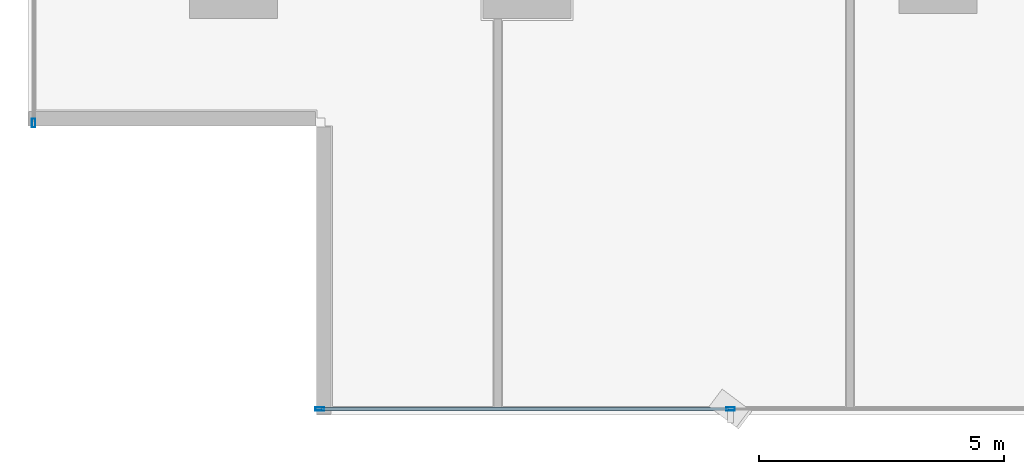
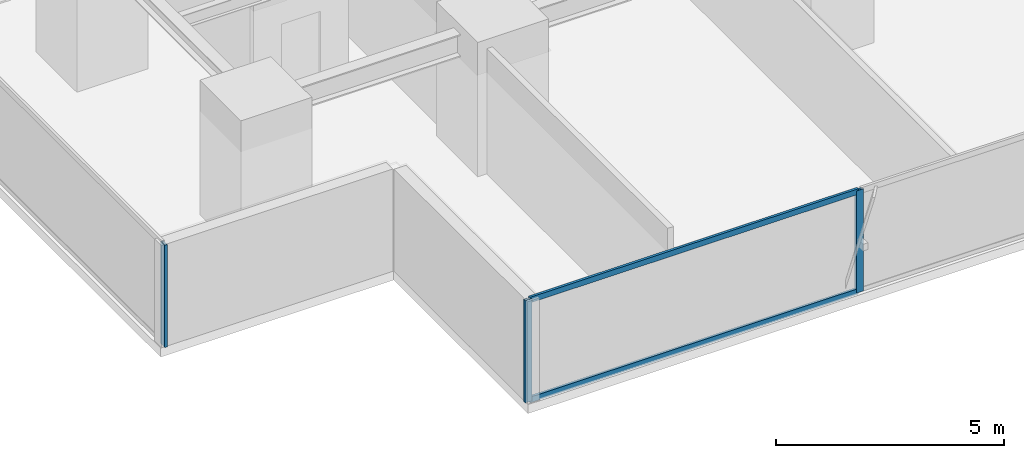
# One storey, part 2 of 32: 5 members, 2 elements without a shape of their own.
"""IFC4 building model written with IfcOpenShell, lengths in metres."""

import ifcopenshell
import ifcopenshell.guid

model = None  # the IFC model being written
_history = None  # IfcOwnerHistory: only IFC2X3 demands one
_inside = {}  # id of a spatial element -> (the spatial element, [elements in it])
_under = {}  # id of a project, library or spatial element -> (it, [spatial elements below it])
_declared = {}  # id of a project -> (the project, [libraries it declares])
_typed = {}  # id of a type object -> (the type object, [elements of that type])
_made_of = {}  # id of a material, layer set ... -> (it, [elements and type objects made of it])


def new_model(schema):
    """Start an empty IFC model of exactly this schema.

    Asked for "IFC4X3", IfcOpenShell would pick the latest addendum, in which some entities
    have other attributes; the version numbers below select the first issue.
    IFC2X3 requires an IfcOwnerHistory on every rooted entity: one is made here for all.
    """
    global model, _history
    if schema == "IFC4X3":
        model = ifcopenshell.file(schema_version=(4, 3, 0, 0))
    else:
        model = ifcopenshell.file(schema=schema)
    _inside.clear()
    _under.clear()
    _declared.clear()
    _typed.clear()
    _made_of.clear()
    _history = None
    if model.schema == "IFC2X3":
        org = make("IfcOrganization", Name="unknown")
        user = make(
            "IfcPersonAndOrganization",
            ThePerson=make("IfcPerson", FamilyName="unknown"),
            TheOrganization=org,
        )
        app = make(
            "IfcApplication",
            ApplicationDeveloper=org,
            Version="unknown",
            ApplicationFullName="unknown",
            ApplicationIdentifier="unknown",
        )
        _history = make(
            "IfcOwnerHistory",
            OwningUser=user,
            OwningApplication=app,
            ChangeAction="ADDED",
            CreationDate=0,
        )
    return model


def make(cls, **values):
    """One entity of the class cls with the attributes given. An attribute that is None is left unset."""
    return model.create_entity(
        cls, **{name: value for name, value in values.items() if value is not None}
    )


def rooted(cls, **values):
    """An entity with a GlobalId (a new one), such as an element, a storey or a relation."""
    return make(cls, GlobalId=ifcopenshell.guid.new(), OwnerHistory=_history, **values)


def si_unit(unit_type, name, prefix=None):
    """IfcSIUnit, for example si_unit("LENGTHUNIT", "METRE", prefix="MILLI")."""
    return make("IfcSIUnit", UnitType=unit_type, Prefix=prefix, Name=name)


def assignment(units):
    """IfcUnitAssignment: the units of a project."""
    return None if units is None else make("IfcUnitAssignment", Units=units)


def point(xyz):
    """IfcCartesianPoint."""
    return None if xyz is None else make("IfcCartesianPoint", Coordinates=xyz)


def direction(xyz):
    """IfcDirection."""
    return None if xyz is None else make("IfcDirection", DirectionRatios=xyz)


def frame(location, z_axis=None, x_axis=None):
    """IfcAxis2Placement3D, a coordinate frame: its origin and axes. An axis left out is left unset."""
    return make(
        "IfcAxis2Placement3D",
        Location=point(location),
        Axis=direction(z_axis),
        RefDirection=direction(x_axis),
    )


def frame_2d(location, x_axis=None):
    """IfcAxis2Placement2D, a coordinate frame in the plane: its origin and x axis."""
    return make(
        "IfcAxis2Placement2D", Location=point(location), RefDirection=direction(x_axis)
    )


def origin():
    """The frame at (0, 0, 0) with its axes left unset."""
    return frame((0.0, 0.0, 0.0))


def origin_2d():
    """The frame at (0, 0) in the plane with its x axis left unset."""
    return frame_2d((0.0, 0.0))


def place(relative_to, where):
    """IfcLocalPlacement: puts the frame where relative to a parent placement (None: the world)."""
    return make(
        "IfcLocalPlacement", PlacementRelTo=relative_to, RelativePlacement=where
    )


def context(
    kind, dimensions, precision=None, world=None, true_north=None, identifier=None
):
    """IfcGeometricRepresentationContext, for example the 3D "Model" context."""
    return make(
        "IfcGeometricRepresentationContext",
        ContextIdentifier=identifier,
        ContextType=kind,
        CoordinateSpaceDimension=dimensions,
        Precision=precision,
        WorldCoordinateSystem=world,
        TrueNorth=true_north,
    )


def subcontext(parent, identifier, kind, view, scale=None):
    """IfcGeometricRepresentationSubContext, for example "Body" below "Model"."""
    return make(
        "IfcGeometricRepresentationSubContext",
        ContextIdentifier=identifier,
        ContextType=kind,
        ParentContext=parent,
        TargetScale=scale,
        TargetView=view,
    )


def project(units=None, contexts=None):
    """IfcProject with its units and contexts."""
    return rooted(
        "IfcProject",
        Name="project",
        RepresentationContexts=contexts,
        UnitsInContext=assignment(units),
    )


def spatial(cls, under=None, at=None, **own):
    """A site, building, storey or space (cls), placed at a placement, below another one or the project."""
    s = rooted(cls, ObjectPlacement=at, **own)
    if under is not None:
        _under.setdefault(under.id(), (under, []))[1].append(s)
    return s


def profile(cls, at=None, kind="AREA", **sizes):
    """A parametric profile (cls). Its sizes go by their IFC names, for example OverallWidth=200.0."""
    return make(cls, ProfileType=kind, Position=at, **sizes)


def hollow_rectangle(**sizes):
    """IfcRectangleHollowProfileDef."""
    return profile("IfcRectangleHollowProfileDef", **sizes)


def extrude(swept, where, along, depth):
    """IfcExtrudedAreaSolid: the profile swept, set in the frame where, extruded along a direction by depth."""
    return make(
        "IfcExtrudedAreaSolid",
        SweptArea=swept,
        Position=where,
        ExtrudedDirection=direction(along),
        Depth=depth,
    )


def shape(context_of_items, identifier, shape_type, items):
    """IfcShapeRepresentation: the items that make up one representation, for example the "Body"."""
    return make(
        "IfcShapeRepresentation",
        ContextOfItems=context_of_items,
        RepresentationIdentifier=identifier,
        RepresentationType=shape_type,
        Items=items,
    )


def source(mapping_origin, context_of_items, identifier, shape_type, items):
    """IfcRepresentationMap: a shape defined once, which mapped items show again and again."""
    return make(
        "IfcRepresentationMap",
        MappingOrigin=mapping_origin,
        MappedRepresentation=shape(context_of_items, identifier, shape_type, items),
    )


def transform(
    local_origin,
    x_axis=None,
    y_axis=None,
    z_axis=None,
    scale=None,
    scale2=None,
    scale3=None,
    uniform=True,
):
    """IfcCartesianTransformationOperator3D, or its non-uniform kind. x_axis, y_axis, z_axis: its Axis1, 2, 3."""
    if uniform:
        return make(
            "IfcCartesianTransformationOperator3D",
            Axis1=direction(x_axis),
            Axis2=direction(y_axis),
            LocalOrigin=point(local_origin),
            Scale=scale,
            Axis3=direction(z_axis),
        )
    return make(
        "IfcCartesianTransformationOperator3DnonUniform",
        Axis1=direction(x_axis),
        Axis2=direction(y_axis),
        LocalOrigin=point(local_origin),
        Scale=scale,
        Axis3=direction(z_axis),
        Scale2=scale2,
        Scale3=scale3,
    )


def mapped(mapping_source, mapping_target):
    """IfcMappedItem: shows the shape of a source again, moved by a transform."""
    return make(
        "IfcMappedItem", MappingSource=mapping_source, MappingTarget=mapping_target
    )


def material(Name=None, Category=None):
    """IfcMaterial."""
    return make("IfcMaterial", Name=Name, Category=Category)


def layer(
    of_material, thickness, ventilated=None, Name=None, Category=None, Priority=None
):
    """IfcMaterialLayer: one layer of a wall or slab, of a material (None: an air gap)."""
    return make(
        "IfcMaterialLayer",
        Material=of_material,
        LayerThickness=thickness,
        IsVentilated=ventilated,
        Name=Name,
        Category=Category,
        Priority=Priority,
    )


def layer_set(layers, Name=None):
    """IfcMaterialLayerSet."""
    return make("IfcMaterialLayerSet", MaterialLayers=layers, LayerSetName=Name)


def material_profile(
    of_material, cross_section, Name=None, Category=None, Priority=None
):
    """IfcMaterialProfile: a cross section and its material."""
    return make(
        "IfcMaterialProfile",
        Name=Name,
        Material=of_material,
        Profile=cross_section,
        Priority=Priority,
        Category=Category,
    )


def profile_set(profiles, Name=None, composite=None):
    """IfcMaterialProfileSet."""
    return make(
        "IfcMaterialProfileSet",
        Name=Name,
        MaterialProfiles=profiles,
        CompositeProfile=composite,
    )


def made_of(thing, what):
    """Note that an element or type object is made of a material, layer set ...; save() writes the relation."""
    if what is not None:
        _made_of.setdefault(what.id(), (what, []))[1].append(thing)
    return thing


def type_object(cls, material=None, **own):
    """A type object (cls), such as IfcWallType, which elements share."""
    return made_of(rooted(cls, **own), material)


def element(
    cls,
    number,
    at=None,
    inside=None,
    cuts=None,
    type_object=None,
    material=None,
    context=None,
    identifier="Body",
    shape_type=None,
    held_by="IfcProductDefinitionShape",
    body=None,
    shapes=None,
    **own,
):
    """One element of the class cls, such as IfcWall. Its Tag is "e" and its number.

    at: its placement. inside: the storey or other place that contains it. cuts: it is an
    opening in that element (IfcRelVoidsElement). A single representation is given by context,
    identifier, shape_type and body (its items); several are given by shapes. held_by: the class
    of the entity that holds the representations. save() writes the other relations.
    """
    e = rooted(cls, Tag="e%d" % number, ObjectPlacement=at, **own)
    if body is not None:
        shapes = [shape(context, identifier, shape_type, body)]
    if shapes is not None:
        e.Representation = make(held_by, Representations=shapes)
    if inside is not None:
        _inside.setdefault(inside.id(), (inside, []))[1].append(e)
    if cuts is not None:
        rooted(
            "IfcRelVoidsElement", RelatingBuildingElement=cuts, RelatedOpeningElement=e
        )
    if type_object is not None:
        _typed.setdefault(type_object.id(), (type_object, []))[1].append(e)
    return made_of(e, material)


def aggregate(whole, parts):
    """IfcRelAggregates: a whole, such as a stair, and the parts it consists of."""
    return rooted("IfcRelAggregates", RelatingObject=whole, RelatedObjects=parts)


def save(model, path):
    """Write the relations noted so far, then the file.

    IfcRelAggregates (storeys below a building ...), IfcRelContainedInSpatialStructure (elements
    in a storey), IfcRelDefinesByType, IfcRelAssociatesMaterial and IfcRelDeclares: one each for
    every whole, place, type object, material and project.
    """
    for whole, parts in _under.values():
        aggregate(whole, parts)
    for where, things in _inside.values():
        rooted(
            "IfcRelContainedInSpatialStructure",
            RelatedElements=things,
            RelatingStructure=where,
        )
    for kind, things in _typed.values():
        rooted("IfcRelDefinesByType", RelatedObjects=things, RelatingType=kind)
    for what, things in _made_of.values():
        rooted("IfcRelAssociatesMaterial", RelatedObjects=things, RelatingMaterial=what)
    for by, libraries in _declared.values():
        rooted("IfcRelDeclares", RelatingContext=by, RelatedDefinitions=libraries)
    model.write(path)


model = new_model("IFC4")

# Units and contexts
model_context = context("Model", 3, precision=1e-05, world=origin(), true_north=direction((0.0, 1.0)))
body_context = subcontext(model_context, "Body", "Model", "MODEL_VIEW")
ifc_project = project(units=[si_unit("LENGTHUNIT", "METRE"), si_unit("AREAUNIT", "SQUARE_METRE"), si_unit("VOLUMEUNIT", "CUBIC_METRE"), si_unit("PLANEANGLEUNIT", "RADIAN"), si_unit("MASSUNIT", "GRAM", prefix="KILO")], contexts=[model_context])

# Site, building, storey
site_placement = place(None, origin())
site = spatial("IfcSite", under=ifc_project, at=site_placement, CompositionType="ELEMENT")
building_placement = place(site_placement, origin())
building = spatial("IfcBuilding", under=site, at=building_placement, Name="Sumidabori Civic Tower", CompositionType="ELEMENT")
storey_placement = place(building_placement, frame((0.0, 0.0, 52.39990234375)))
storey = spatial("IfcBuildingStorey", under=building, at=storey_placement, Name="L13", CompositionType="ELEMENT", Elevation=52.39990234375)

# Curtain wall, members
ifc_material = material(Name="Anodised Bronze Aluminium AW-6063-T6", Category="aluminium")
ifc_layer = layer(ifc_material, 0.179931640625, Name="Anodised Bronze Aluminium AW-6063-T6")
ifc_layer_set = layer_set([ifc_layer], Name="Anodised Bronze Aluminium AW-6063-T6")
curtain_wall_type = type_object("IfcCurtainWallType", Name="CW-SYS-2", PredefinedType="NOTDEFINED", material=ifc_layer_set)
curtain_wall_1_placement = place(storey_placement, origin())
curtain_wall_1 = element("IfcCurtainWall", 1, at=curtain_wall_1_placement, inside=storey, type_object=curtain_wall_type, Name="Curtain Wall CW:L13:R01", PredefinedType="NOTDEFINED")
ifc_material_profile_1 = material_profile(ifc_material, hollow_rectangle(XDim=0.070068359375, YDim=0.179931640625, WallThickness=0.006103515625, at=origin_2d()), Name="ALU MULLION 180x70")
ifc_profile_set_1 = profile_set([ifc_material_profile_1], Name="Anodised Bronze Aluminium AW-6063-T6")
member_type_1 = type_object("IfcMemberType", Name="CW-MUL-180", PredefinedType="MULLION", material=ifc_profile_set_1)
shared_shape_1 = source(origin(), body_context, "Body", "SweptSolid", [
    extrude(hollow_rectangle(XDim=0.070068359375, YDim=0.179931640625, WallThickness=0.006103515625, at=origin_2d()), origin(), (0.0, 0.0, 1.0), 2.739990234375),
])
member_1_placement = place(storey_placement, frame((-21.034912109375, -26.8798828125, 0.0), z_axis=(0.0, 0.0, 1.0), x_axis=(0.0, 1.0, 0.0)))
member_1 = element("IfcMember", 2, at=member_1_placement, type_object=member_type_1, Name="CW-2 mullion 1", PredefinedType="MULLION", context=body_context, shape_type="MappedRepresentation", body=[
    mapped(shared_shape_1, transform((0.0, 0.0, 0.0), x_axis=(1.0, 0.0, 0.0), y_axis=(0.0, 1.0, 0.0), z_axis=(0.0, 0.0, 1.0), scale=1.0)),
])
member_2_placement = place(storey_placement, frame((-12.64208984375, -26.8798828125, 0.0), z_axis=(0.0, 0.0, 1.0), x_axis=(0.0, 1.0, 0.0)))
member_2 = element("IfcMember", 3, at=member_2_placement, type_object=member_type_1, Name="CW-2 mullion 2", PredefinedType="MULLION", context=body_context, shape_type="MappedRepresentation", body=[
    mapped(shared_shape_1, transform((0.0, 0.0, 0.0), x_axis=(1.0, 0.0, 0.0), y_axis=(0.0, 1.0, 0.0), z_axis=(0.0, 0.0, 1.0), scale=1.0)),
])

# Curtain wall, member
curtain_wall_2_placement = place(storey_placement, origin())
curtain_wall_2 = element("IfcCurtainWall", 4, at=curtain_wall_2_placement, inside=storey, type_object=curtain_wall_type, Name="Curtain Wall CW:L13:R10", PredefinedType="NOTDEFINED")
member_3_placement = place(storey_placement, frame((-26.8798828125, -21.034912109375, 0.0), z_axis=(0.0, 0.0, 1.0), x_axis=(1.0, 0.0, 0.0)))
member_3 = element("IfcMember", 5, at=member_3_placement, type_object=member_type_1, Name="CW-2 mullion 6", PredefinedType="MULLION", context=body_context, shape_type="MappedRepresentation", body=[
    mapped(shared_shape_1, transform((0.0, 0.0, 0.0), x_axis=(1.0, 0.0, 0.0), y_axis=(0.0, 1.0, 0.0), z_axis=(0.0, 0.0, 1.0), scale=1.0)),
])
aggregate(curtain_wall_2, [member_3])

# Member
ifc_material_profile_2 = material_profile(ifc_material, hollow_rectangle(XDim=0.06494140625, YDim=0.14990234375, WallThickness=0.0048828125, at=origin_2d()), Name="ALU TRANSOM 150x65")
ifc_profile_set_2 = profile_set([ifc_material_profile_2], Name="Anodised Bronze Aluminium AW-6063-T6")
member_type_2 = type_object("IfcMemberType", Name="CW-TRN-150", PredefinedType="USERDEFINED", material=ifc_profile_set_2)
shared_shape_2 = source(origin(), body_context, "Body", "SweptSolid", [
    extrude(hollow_rectangle(XDim=0.06494140625, YDim=0.14990234375, WallThickness=0.0048828125, at=origin_2d()), origin(), (0.0, 0.0, 1.0), 8.322998046875),
])
member_4_placement = place(storey_placement, frame((-21.0, -26.8798828125, 0.03271484375), z_axis=(1.0, 0.0, 0.0), x_axis=(0.0, 1.0, 0.0)))
member_4 = element("IfcMember", 6, at=member_4_placement, type_object=member_type_2, Name="CW-2 transom 1.1", ObjectType="TRANSOM", PredefinedType="USERDEFINED", context=body_context, shape_type="MappedRepresentation", body=[
    mapped(shared_shape_2, transform((0.0, 0.0, 0.0), x_axis=(1.0, 0.0, 0.0), y_axis=(0.0, 1.0, 0.0), z_axis=(0.0, 0.0, 1.0), scale=1.0)),
])

member_5_placement = place(storey_placement, frame((-21.0, -26.8798828125, 2.70751953125), z_axis=(1.0, 0.0, 0.0), x_axis=(0.0, 1.0, 0.0)))
member_5 = element("IfcMember", 7, at=member_5_placement, type_object=member_type_2, Name="CW-2 transom 1.2", ObjectType="TRANSOM", PredefinedType="USERDEFINED", context=body_context, shape_type="MappedRepresentation", body=[
    mapped(shared_shape_2, transform((0.0, 0.0, 0.0), x_axis=(1.0, 0.0, 0.0), y_axis=(0.0, 1.0, 0.0), z_axis=(0.0, 0.0, 1.0), scale=1.0)),
])

aggregate(curtain_wall_1, [member_1, member_2, member_4, member_5])

save(model, "model.ifc")
